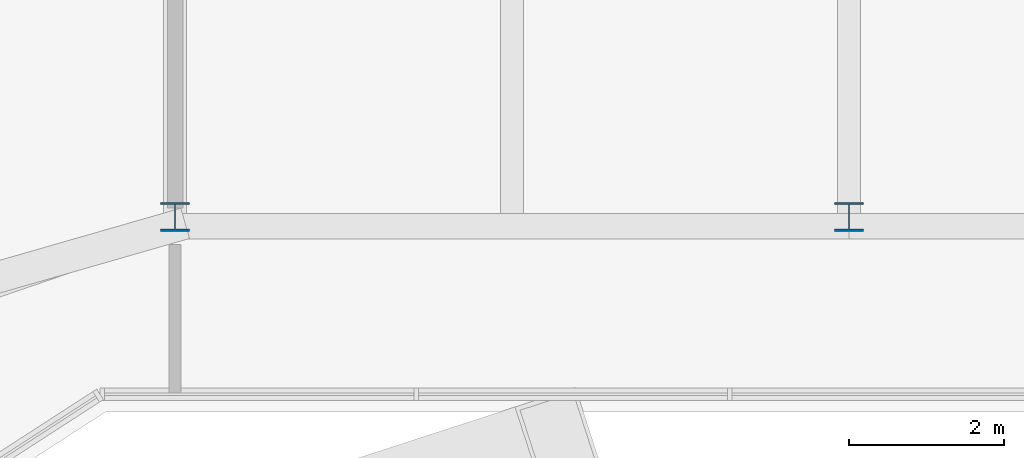
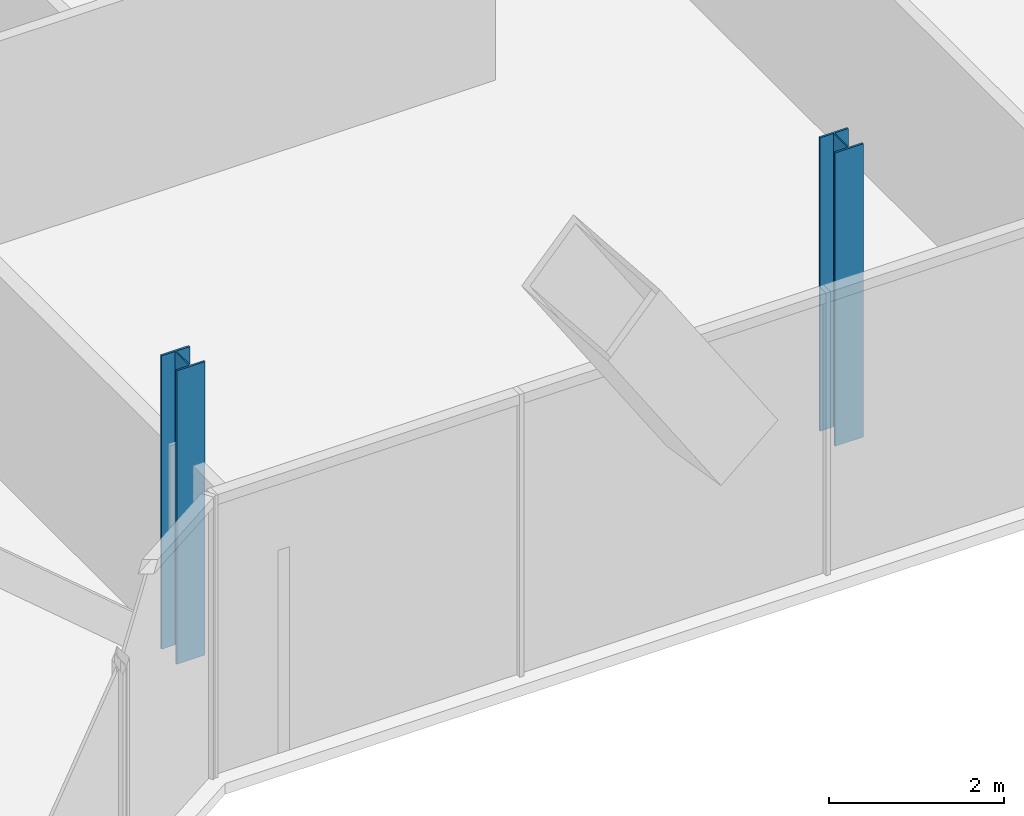
# One storey, part 2 of 22: 2 columns.
"""IFC4 building model written with IfcOpenShell, lengths in metres."""

from ifc_helpers import new_model, si_unit, direction, frame, origin, origin_2d, place, context, subcontext, project, spatial, i_section, extrude, material, material_profile, profile_set, type_object, element, save


model = new_model("IFC4")

# Units and contexts
model_context = context("Model", 3, precision=1e-05, world=origin(), true_north=direction((0.0, 1.0)))
body_context = subcontext(model_context, "Body", "Model", "MODEL_VIEW")
ifc_project = project(units=[si_unit("LENGTHUNIT", "METRE"), si_unit("AREAUNIT", "SQUARE_METRE"), si_unit("VOLUMEUNIT", "CUBIC_METRE"), si_unit("PLANEANGLEUNIT", "RADIAN"), si_unit("MASSUNIT", "GRAM", prefix="KILO")], contexts=[model_context])

# Site, building, storey
site_placement = place(None, origin())
site = spatial("IfcSite", under=ifc_project, at=site_placement, CompositionType="ELEMENT")
building_placement = place(site_placement, origin())
building = spatial("IfcBuilding", under=site, at=building_placement, Name="Bicima Exchange Tower", CompositionType="ELEMENT")
storey_placement = place(building_placement, frame((0.0, 0.0, 203.199951171875)))
storey = spatial("IfcBuildingStorey", under=building, at=storey_placement, Name="L45", CompositionType="ELEMENT", Elevation=203.199951171875)

# Columns
ifc_material = material(Name="Steel ASTM A992 Gr 50", Category="steel")
ifc_material_profile = material_profile(ifc_material, i_section(OverallWidth=0.373291015625, OverallDepth=0.373291015625, WebThickness=0.016357421875, FlangeThickness=0.026123046875, at=origin_2d()))
ifc_profile_set = profile_set([ifc_material_profile], Name="Steel ASTM A992 Gr 50")
column_type = type_object("IfcColumnType", Name="Perimeter column W14x132", PredefinedType="COLUMN", material=ifc_profile_set)
for number, where, z_axis, x_axis, name in (
    (1, (17.39990234375, -29.9619140625, 0.0), (0.0, 0.0, 1.0), (1.0, 0.0, 0.0), "Perimeter column grav+17.4f"),
    (2, (26.10009765625, -29.9619140625, 0.0), (0.0, 0.0, 1.0), (1.0, 0.0, 0.0), "Perimeter column grav+26.1f"),
):
    element("IfcColumn", number, at=place(storey_placement, frame(where, z_axis=z_axis, x_axis=x_axis)), inside=storey, type_object=column_type, Name=name, PredefinedType="COLUMN", context=body_context, shape_type="SweptSolid", body=[
        extrude(i_section(OverallWidth=0.373291015625, OverallDepth=0.373291015625, WebThickness=0.016357421875, FlangeThickness=0.026123046875, at=origin_2d()), origin(), (0.0, 0.0, 1.0), 4.10009765625),
    ])

save(model, "model.ifc")
